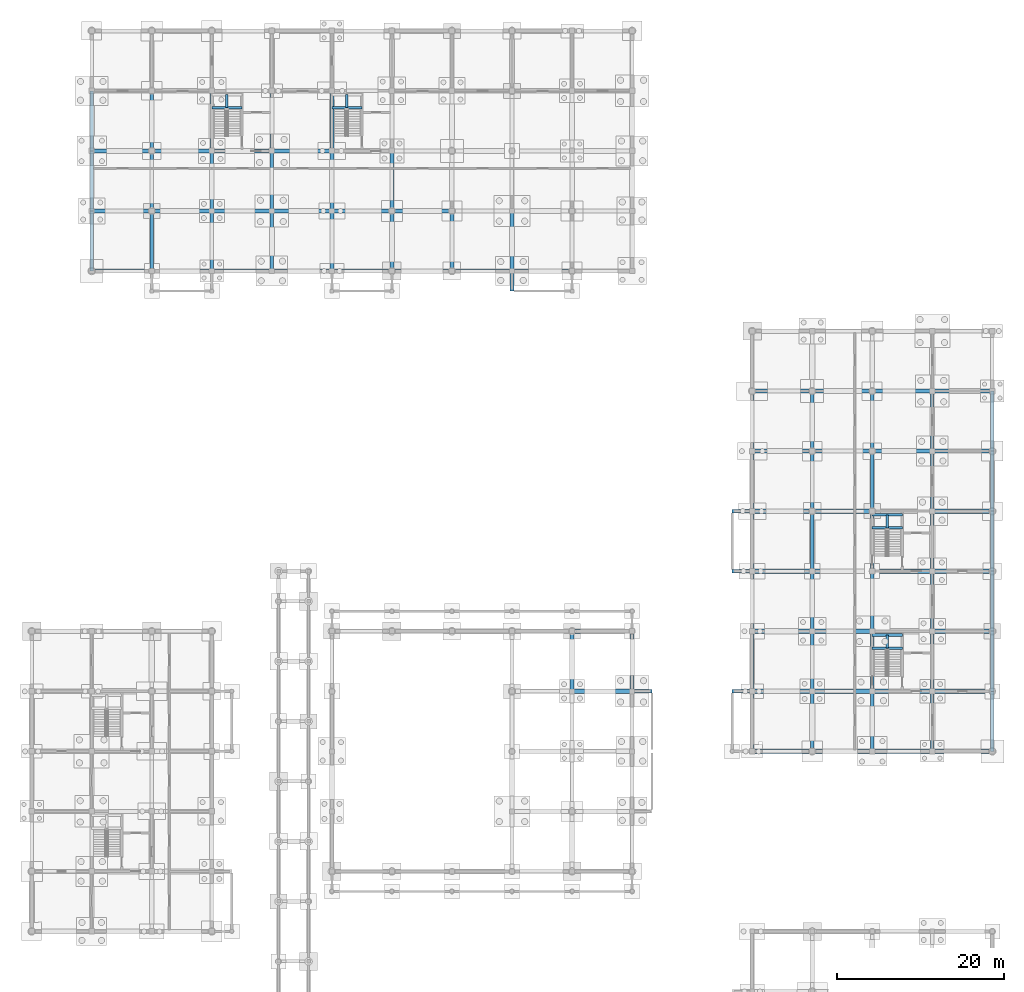
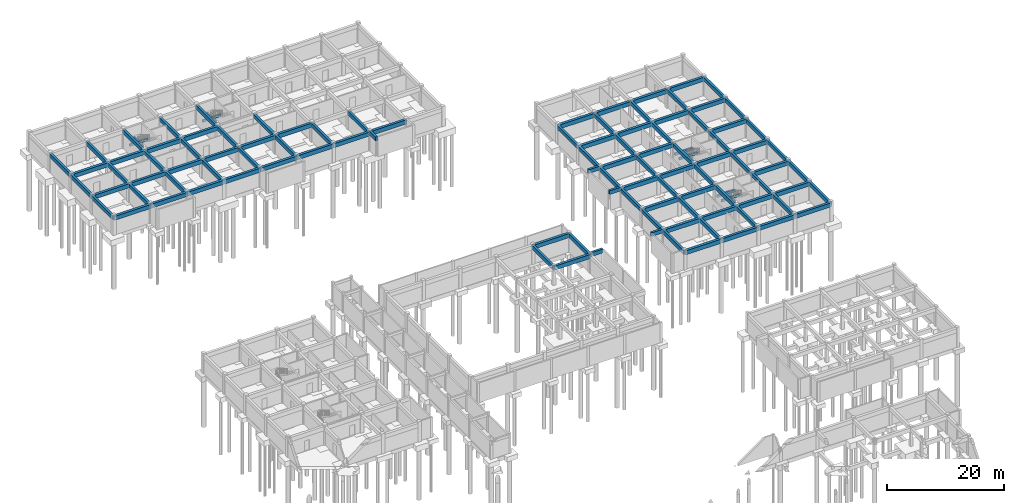
# One storey, part 22 of 38: 112 beams.
"""IFC4 building model written with IfcOpenShell, lengths in metres."""

from ifc_helpers import new_model, si_unit, direction, frame, origin, origin_2d, place, context, subcontext, project, spatial, rectangle, extrude, material, material_profile, profile_set, type_object, element, save


model = new_model("IFC4")

# Units and contexts
model_context = context("Model", 3, precision=1e-05, world=origin(), true_north=direction((0.0, 1.0)))
body_context = subcontext(model_context, "Body", "Model", "MODEL_VIEW")
ifc_project = project(units=[si_unit("LENGTHUNIT", "METRE"), si_unit("AREAUNIT", "SQUARE_METRE"), si_unit("VOLUMEUNIT", "CUBIC_METRE"), si_unit("PLANEANGLEUNIT", "RADIAN"), si_unit("MASSUNIT", "GRAM", prefix="KILO"), si_unit("THERMODYNAMICTEMPERATUREUNIT", "KELVIN"), si_unit("POWERUNIT", "WATT")], contexts=[model_context])

# Site, building, storey
site_placement = place(None, origin())
site = spatial("IfcSite", under=ifc_project, at=site_placement, CompositionType="ELEMENT")
building_placement = place(site_placement, origin())
building = spatial("IfcBuilding", under=site, at=building_placement, Name="Tavuni Mirador Residences", CompositionType="ELEMENT")
storey_placement = place(building_placement, frame((0.0, 0.0, -4.199951171875)))
storey = spatial("IfcBuildingStorey", under=building, at=storey_placement, Name="B1", CompositionType="ELEMENT", Elevation=-4.199951171875)

# Beams
ifc_material = material(Name="Precast concrete C40/50", Category="concrete")
ifc_material_profile_1 = material_profile(ifc_material, rectangle(XDim=0.300048828125, YDim=0.5, at=origin_2d()), Name="PC 300x500", Category="concrete")
ifc_profile_set_1 = profile_set([ifc_material_profile_1], Name="Precast concrete C40/50")
beam_type_1 = type_object("IfcBeamType", Name="BT-B500", PredefinedType="BEAM", material=ifc_profile_set_1)
beam_1_placement = place(storey_placement, frame((25.199951171875, 163.590087890625, 1.669921875), z_axis=(1.0, 0.0, 0.0), x_axis=(0.0, 1.0, 0.0)))
element("IfcBeam", 1, at=beam_1_placement, inside=storey, type_object=beam_type_1, Name="HLB1-C5-B1", PredefinedType="BEAM", context=body_context, shape_type="SweptSolid", body=[
    extrude(rectangle(XDim=0.300048828125, YDim=0.5, at=origin_2d()), origin(), (0.0, 0.0, 1.0), 3.60009765625),
])
beam_2_placement = place(storey_placement, frame((27.0, 163.590087890625, 1.669921875), z_axis=(0.0, 1.0, 0.0), x_axis=(-1.0, 0.0, 0.0)))
element("IfcBeam", 2, at=beam_2_placement, inside=storey, type_object=beam_type_1, Name="HLB3-C5-B1", PredefinedType="BEAM", context=body_context, shape_type="SweptSolid", body=[
    extrude(rectangle(XDim=0.300048828125, YDim=0.5, at=origin_2d()), origin(), (0.0, 0.0, 1.0), 1.559814453125),
])
beam_3_placement = place(storey_placement, frame((39.60009765625, 163.590087890625, 1.669921875), z_axis=(1.0, 0.0, 0.0), x_axis=(0.0, 1.0, 0.0)))
element("IfcBeam", 3, at=beam_3_placement, inside=storey, type_object=beam_type_1, Name="HLB1-C6-B1", PredefinedType="BEAM", context=body_context, shape_type="SweptSolid", body=[
    extrude(rectangle(XDim=0.300048828125, YDim=0.5, at=origin_2d()), origin(), (0.0, 0.0, 1.0), 3.599853515625),
])
beam_4_placement = place(storey_placement, frame((41.39990234375, 163.590087890625, 1.669921875), z_axis=(0.0, 1.0, 0.0), x_axis=(-1.0, 0.0, 0.0)))
element("IfcBeam", 4, at=beam_4_placement, inside=storey, type_object=beam_type_1, Name="HLB3-C6-B1", PredefinedType="BEAM", context=body_context, shape_type="SweptSolid", body=[
    extrude(rectangle(XDim=0.300048828125, YDim=0.5, at=origin_2d()), origin(), (0.0, 0.0, 1.0), 1.559814453125),
])
for number, where, z_axis, x_axis, name in (
    (5, (104.39990234375, 98.7900390625, 1.669921875), (1.0, 0.0, 0.0), (0.0, 1.0, 0.0), "HLB1-C7-B1"),
    (6, (104.39990234375, 100.35009765625, 1.669921875), (1.0, 0.0, 0.0), (0.0, 1.0, 0.0), "HLB2-C7-B1"),
):
    element("IfcBeam", number, at=place(storey_placement, frame(where, z_axis=z_axis, x_axis=x_axis)), inside=storey, type_object=beam_type_1, Name=name, PredefinedType="BEAM", context=body_context, shape_type="SweptSolid", body=[
        extrude(rectangle(XDim=0.300048828125, YDim=0.5, at=origin_2d()), origin(), (0.0, 0.0, 1.0), 3.60009765625),
    ])
beam_5_placement = place(storey_placement, frame((106.199951171875, 98.7900390625, 1.669921875), z_axis=(0.0, 1.0, 0.0), x_axis=(-1.0, 0.0, 0.0)))
element("IfcBeam", 7, at=beam_5_placement, inside=storey, type_object=beam_type_1, Name="HLB3-C7-B1", PredefinedType="BEAM", context=body_context, shape_type="SweptSolid", body=[
    extrude(rectangle(XDim=0.300048828125, YDim=0.5, at=origin_2d()), origin(), (0.0, 0.0, 1.0), 1.56005859375),
])
for number, where, z_axis, x_axis, name in (
    (8, (104.39990234375, 113.18994140625, 1.669921875), (1.0, 0.0, 0.0), (0.0, 1.0, 0.0), "HLB1-C8-B1"),
    (9, (104.39990234375, 114.75, 1.669921875), (1.0, 0.0, 0.0), (0.0, 1.0, 0.0), "HLB2-C8-B1"),
):
    element("IfcBeam", number, at=place(storey_placement, frame(where, z_axis=z_axis, x_axis=x_axis)), inside=storey, type_object=beam_type_1, Name=name, PredefinedType="BEAM", context=body_context, shape_type="SweptSolid", body=[
        extrude(rectangle(XDim=0.300048828125, YDim=0.5, at=origin_2d()), origin(), (0.0, 0.0, 1.0), 3.60009765625),
    ])
beam_6_placement = place(storey_placement, frame((106.199951171875, 113.18994140625, 1.669921875), z_axis=(0.0, 1.0, 0.0), x_axis=(-1.0, 0.0, 0.0)))
element("IfcBeam", 10, at=beam_6_placement, inside=storey, type_object=beam_type_1, Name="HLB3-C8-B1", PredefinedType="BEAM", context=body_context, shape_type="SweptSolid", body=[
    extrude(rectangle(XDim=0.300048828125, YDim=0.5, at=origin_2d()), origin(), (0.0, 0.0, 1.0), 1.56005859375),
])
ifc_material_profile_2 = material_profile(ifc_material, rectangle(XDim=0.449951171875, YDim=0.800048828125, at=origin_2d()), Name="RC 450x800", Category="concrete")
ifc_profile_set_2 = profile_set([ifc_material_profile_2], Name="Precast concrete C40/50")
beam_type_2 = type_object("IfcBeamType", Name="BT-G800", PredefinedType="USERDEFINED", material=ifc_profile_set_2)
for number, where, z_axis, x_axis, name in (
    (11, (68.39990234375, 93.60009765625, 3.5), (0.0, 1.0, 0.0), (-1.0, 0.0, 0.0), "BMY-PAV-HALL-B1-04-03"),
    (12, (75.60009765625, 93.60009765625, 3.5), (0.0, 1.0, 0.0), (-1.0, 0.0, 0.0), "BMY-PAV-HALL-B1-05-03"),
):
    element("IfcBeam", number, at=place(storey_placement, frame(where, z_axis=z_axis, x_axis=x_axis)), inside=storey, type_object=beam_type_2, Name=name, ObjectType="GIRDER", PredefinedType="USERDEFINED", context=body_context, shape_type="SweptSolid", body=[
        extrude(rectangle(XDim=0.449951171875, YDim=0.800048828125, at=origin_2d()), origin(), (0.0, 0.0, 1.0), 7.199951171875),
    ])
for number, where, z_axis, x_axis, name in (
    (13, (61.199951171875, 144.0, 3.75), (0.0, -1.0, 0.0), (1.0, 0.0, 0.0), "BM-APR-APR-BLKC-S3-0"),
    (14, (90.0, 93.60009765625, 3.75), (-1.0, 0.0, 0.0), (0.0, -1.0, 0.0), "BM-APR-APR-BLKD-W1-3"),
    (15, (90.0, 108.0, 3.75), (-1.0, 0.0, 0.0), (0.0, -1.0, 0.0), "BM-APR-APR-BLKD-W2-0"),
    (16, (90.0, 115.199951171875, 3.75), (-1.0, 0.0, 0.0), (0.0, -1.0, 0.0), "BM-APR-APR-BLKD-W2-3"),
    (17, (75.60009765625, 93.60009765625, 3.75), (1.0, 0.0, 0.0), (0.0, 1.0, 0.0), "BM-APR-APR-HALL-E-2"),
):
    element("IfcBeam", number, at=place(storey_placement, frame(where, z_axis=z_axis, x_axis=x_axis)), inside=storey, type_object=beam_type_2, Name=name, ObjectType="GIRDER", PredefinedType="USERDEFINED", context=body_context, shape_type="SweptSolid", body=[
        extrude(rectangle(XDim=0.449951171875, YDim=0.800048828125, at=origin_2d()), origin(), (0.0, 0.0, 1.0), 2.39990234375),
    ])
for number, where, z_axis, x_axis, name in (
    (18, (10.800048828125, 144.0, 3.47998046875), (0.0, 1.0, 0.0), (-1.0, 0.0, 0.0), "BMY-BLK-C-B1-00-00"),
    (19, (10.800048828125, 151.199951171875, 3.47998046875), (0.0, 1.0, 0.0), (-1.0, 0.0, 0.0), "BMY-BLK-C-B1-00-01"),
):
    element("IfcBeam", number, at=place(storey_placement, frame(where, z_axis=z_axis, x_axis=x_axis)), inside=storey, type_object=beam_type_2, Name=name, ObjectType="GIRDER", PredefinedType="USERDEFINED", context=body_context, shape_type="SweptSolid", body=[
        extrude(rectangle(XDim=0.449951171875, YDim=0.800048828125, at=origin_2d()), origin(), (0.0, 0.0, 1.0), 7.199951171875),
    ])
beam_7_placement = place(storey_placement, frame((10.800048828125, 158.39990234375, 3.47998046875), z_axis=(0.0, 1.0, 0.0), x_axis=(-1.0, 0.0, 0.0)))
element("IfcBeam", 20, at=beam_7_placement, inside=storey, type_object=beam_type_2, Name="BMY-BLK-C-B1-00-02", ObjectType="GIRDER", PredefinedType="USERDEFINED", context=body_context, shape_type="SweptSolid", body=[
    extrude(rectangle(XDim=0.449951171875, YDim=0.800048828125, at=origin_2d()), origin(), (0.0, 0.0, 1.0), 7.2001953125),
])
for number, where, z_axis, x_axis, name in (
    (21, (18.0, 144.0, 3.47998046875), (0.0, 1.0, 0.0), (-1.0, 0.0, 0.0), "BMY-BLK-C-B1-01-00"),
    (22, (18.0, 151.199951171875, 3.47998046875), (0.0, 1.0, 0.0), (-1.0, 0.0, 0.0), "BMY-BLK-C-B1-01-01"),
):
    element("IfcBeam", number, at=place(storey_placement, frame(where, z_axis=z_axis, x_axis=x_axis)), inside=storey, type_object=beam_type_2, Name=name, ObjectType="GIRDER", PredefinedType="USERDEFINED", context=body_context, shape_type="SweptSolid", body=[
        extrude(rectangle(XDim=0.449951171875, YDim=0.800048828125, at=origin_2d()), origin(), (0.0, 0.0, 1.0), 7.199951171875),
    ])
beam_8_placement = place(storey_placement, frame((18.0, 158.39990234375, 3.47998046875), z_axis=(0.0, 1.0, 0.0), x_axis=(-1.0, 0.0, 0.0)))
element("IfcBeam", 23, at=beam_8_placement, inside=storey, type_object=beam_type_2, Name="BMY-BLK-C-B1-01-02", ObjectType="GIRDER", PredefinedType="USERDEFINED", context=body_context, shape_type="SweptSolid", body=[
    extrude(rectangle(XDim=0.449951171875, YDim=0.800048828125, at=origin_2d()), origin(), (0.0, 0.0, 1.0), 7.2001953125),
])
for number, where, z_axis, x_axis, name in (
    (24, (25.199951171875, 144.0, 3.47998046875), (0.0, 1.0, 0.0), (-1.0, 0.0, 0.0), "BMY-BLK-C-B1-02-00"),
    (25, (25.199951171875, 151.199951171875, 3.47998046875), (0.0, 1.0, 0.0), (-1.0, 0.0, 0.0), "BMY-BLK-C-B1-02-01"),
):
    element("IfcBeam", number, at=place(storey_placement, frame(where, z_axis=z_axis, x_axis=x_axis)), inside=storey, type_object=beam_type_2, Name=name, ObjectType="GIRDER", PredefinedType="USERDEFINED", context=body_context, shape_type="SweptSolid", body=[
        extrude(rectangle(XDim=0.449951171875, YDim=0.800048828125, at=origin_2d()), origin(), (0.0, 0.0, 1.0), 7.199951171875),
    ])
beam_9_placement = place(storey_placement, frame((25.199951171875, 158.39990234375, 3.47998046875), z_axis=(0.0, 1.0, 0.0), x_axis=(-1.0, 0.0, 0.0)))
element("IfcBeam", 26, at=beam_9_placement, inside=storey, type_object=beam_type_2, Name="BMY-BLK-C-B1-02-02", ObjectType="GIRDER", PredefinedType="USERDEFINED", context=body_context, shape_type="SweptSolid", body=[
    extrude(rectangle(XDim=0.449951171875, YDim=0.800048828125, at=origin_2d()), origin(), (0.0, 0.0, 1.0), 7.2001953125),
])
for number, where, z_axis, x_axis, name in (
    (27, (32.39990234375, 144.0, 3.47998046875), (0.0, 1.0, 0.0), (-1.0, 0.0, 0.0), "BMY-BLK-C-B1-03-00"),
    (28, (32.39990234375, 151.199951171875, 3.47998046875), (0.0, 1.0, 0.0), (-1.0, 0.0, 0.0), "BMY-BLK-C-B1-03-01"),
):
    element("IfcBeam", number, at=place(storey_placement, frame(where, z_axis=z_axis, x_axis=x_axis)), inside=storey, type_object=beam_type_2, Name=name, ObjectType="GIRDER", PredefinedType="USERDEFINED", context=body_context, shape_type="SweptSolid", body=[
        extrude(rectangle(XDim=0.449951171875, YDim=0.800048828125, at=origin_2d()), origin(), (0.0, 0.0, 1.0), 7.199951171875),
    ])
beam_10_placement = place(storey_placement, frame((32.39990234375, 158.39990234375, 3.47998046875), z_axis=(0.0, 1.0, 0.0), x_axis=(-1.0, 0.0, 0.0)))
element("IfcBeam", 29, at=beam_10_placement, inside=storey, type_object=beam_type_2, Name="BMY-BLK-C-B1-03-02", ObjectType="GIRDER", PredefinedType="USERDEFINED", context=body_context, shape_type="SweptSolid", body=[
    extrude(rectangle(XDim=0.449951171875, YDim=0.800048828125, at=origin_2d()), origin(), (0.0, 0.0, 1.0), 7.2001953125),
])
for number, where, z_axis, x_axis, name in (
    (30, (39.60009765625, 144.0, 3.47998046875), (0.0, 1.0, 0.0), (-1.0, 0.0, 0.0), "BMY-BLK-C-B1-04-00"),
    (31, (39.60009765625, 151.199951171875, 3.47998046875), (0.0, 1.0, 0.0), (-1.0, 0.0, 0.0), "BMY-BLK-C-B1-04-01"),
):
    element("IfcBeam", number, at=place(storey_placement, frame(where, z_axis=z_axis, x_axis=x_axis)), inside=storey, type_object=beam_type_2, Name=name, ObjectType="GIRDER", PredefinedType="USERDEFINED", context=body_context, shape_type="SweptSolid", body=[
        extrude(rectangle(XDim=0.449951171875, YDim=0.800048828125, at=origin_2d()), origin(), (0.0, 0.0, 1.0), 7.199951171875),
    ])
beam_11_placement = place(storey_placement, frame((39.60009765625, 158.39990234375, 3.47998046875), z_axis=(0.0, 1.0, 0.0), x_axis=(-1.0, 0.0, 0.0)))
element("IfcBeam", 32, at=beam_11_placement, inside=storey, type_object=beam_type_2, Name="BMY-BLK-C-B1-04-02", ObjectType="GIRDER", PredefinedType="USERDEFINED", context=body_context, shape_type="SweptSolid", body=[
    extrude(rectangle(XDim=0.449951171875, YDim=0.800048828125, at=origin_2d()), origin(), (0.0, 0.0, 1.0), 7.2001953125),
])
for number, where, z_axis, x_axis, name in (
    (33, (46.800048828125, 144.0, 3.47998046875), (0.0, 1.0, 0.0), (-1.0, 0.0, 0.0), "BMY-BLK-C-B1-05-00"),
    (34, (46.800048828125, 151.199951171875, 3.47998046875), (0.0, 1.0, 0.0), (-1.0, 0.0, 0.0), "BMY-BLK-C-B1-05-01"),
    (35, (54.0, 144.0, 3.47998046875), (0.0, 1.0, 0.0), (-1.0, 0.0, 0.0), "BMY-BLK-C-B1-06-00"),
    (36, (61.199951171875, 144.0, 3.47998046875), (0.0, 1.0, 0.0), (-1.0, 0.0, 0.0), "BMY-BLK-C-B1-07-00"),
):
    element("IfcBeam", number, at=place(storey_placement, frame(where, z_axis=z_axis, x_axis=x_axis)), inside=storey, type_object=beam_type_2, Name=name, ObjectType="GIRDER", PredefinedType="USERDEFINED", context=body_context, shape_type="SweptSolid", body=[
        extrude(rectangle(XDim=0.449951171875, YDim=0.800048828125, at=origin_2d()), origin(), (0.0, 0.0, 1.0), 7.199951171875),
    ])
beam_12_placement = place(storey_placement, frame((90.0, 86.39990234375, 3.47998046875), z_axis=(0.0, 1.0, 0.0), x_axis=(-1.0, 0.0, 0.0)))
element("IfcBeam", 37, at=beam_12_placement, inside=storey, type_object=beam_type_2, Name="BMY-BLK-D-B1-00-00", ObjectType="GIRDER", PredefinedType="USERDEFINED", context=body_context, shape_type="SweptSolid", body=[
    extrude(rectangle(XDim=0.449951171875, YDim=0.800048828125, at=origin_2d()), origin(), (0.0, 0.0, 1.0), 7.2001953125),
])
for number, where, z_axis, x_axis, name in (
    (38, (90.0, 93.60009765625, 3.47998046875), (0.0, 1.0, 0.0), (-1.0, 0.0, 0.0), "BMY-BLK-D-B1-00-01"),
    (39, (90.0, 100.800048828125, 3.47998046875), (0.0, 1.0, 0.0), (-1.0, 0.0, 0.0), "BMY-BLK-D-B1-00-02"),
    (40, (90.0, 108.0, 3.47998046875), (0.0, 1.0, 0.0), (-1.0, 0.0, 0.0), "BMY-BLK-D-B1-00-03"),
    (41, (90.0, 115.199951171875, 3.47998046875), (0.0, 1.0, 0.0), (-1.0, 0.0, 0.0), "BMY-BLK-D-B1-00-04"),
):
    element("IfcBeam", number, at=place(storey_placement, frame(where, z_axis=z_axis, x_axis=x_axis)), inside=storey, type_object=beam_type_2, Name=name, ObjectType="GIRDER", PredefinedType="USERDEFINED", context=body_context, shape_type="SweptSolid", body=[
        extrude(rectangle(XDim=0.449951171875, YDim=0.800048828125, at=origin_2d()), origin(), (0.0, 0.0, 1.0), 7.199951171875),
    ])
for number, where, z_axis, x_axis, name in (
    (42, (90.0, 122.39990234375, 3.47998046875), (0.0, 1.0, 0.0), (-1.0, 0.0, 0.0), "BMY-BLK-D-B1-00-05"),
    (43, (97.199951171875, 86.39990234375, 3.47998046875), (0.0, 1.0, 0.0), (-1.0, 0.0, 0.0), "BMY-BLK-D-B1-01-00"),
):
    element("IfcBeam", number, at=place(storey_placement, frame(where, z_axis=z_axis, x_axis=x_axis)), inside=storey, type_object=beam_type_2, Name=name, ObjectType="GIRDER", PredefinedType="USERDEFINED", context=body_context, shape_type="SweptSolid", body=[
        extrude(rectangle(XDim=0.449951171875, YDim=0.800048828125, at=origin_2d()), origin(), (0.0, 0.0, 1.0), 7.2001953125),
    ])
for number, where, z_axis, x_axis, name in (
    (44, (97.199951171875, 93.60009765625, 3.47998046875), (0.0, 1.0, 0.0), (-1.0, 0.0, 0.0), "BMY-BLK-D-B1-01-01"),
    (45, (97.199951171875, 100.800048828125, 3.47998046875), (0.0, 1.0, 0.0), (-1.0, 0.0, 0.0), "BMY-BLK-D-B1-01-02"),
    (46, (97.199951171875, 108.0, 3.47998046875), (0.0, 1.0, 0.0), (-1.0, 0.0, 0.0), "BMY-BLK-D-B1-01-03"),
    (47, (97.199951171875, 115.199951171875, 3.47998046875), (0.0, 1.0, 0.0), (-1.0, 0.0, 0.0), "BMY-BLK-D-B1-01-04"),
):
    element("IfcBeam", number, at=place(storey_placement, frame(where, z_axis=z_axis, x_axis=x_axis)), inside=storey, type_object=beam_type_2, Name=name, ObjectType="GIRDER", PredefinedType="USERDEFINED", context=body_context, shape_type="SweptSolid", body=[
        extrude(rectangle(XDim=0.449951171875, YDim=0.800048828125, at=origin_2d()), origin(), (0.0, 0.0, 1.0), 7.199951171875),
    ])
for number, where, z_axis, x_axis, name in (
    (48, (97.199951171875, 122.39990234375, 3.47998046875), (0.0, 1.0, 0.0), (-1.0, 0.0, 0.0), "BMY-BLK-D-B1-01-05"),
    (49, (104.39990234375, 86.39990234375, 3.47998046875), (0.0, 1.0, 0.0), (-1.0, 0.0, 0.0), "BMY-BLK-D-B1-02-00"),
):
    element("IfcBeam", number, at=place(storey_placement, frame(where, z_axis=z_axis, x_axis=x_axis)), inside=storey, type_object=beam_type_2, Name=name, ObjectType="GIRDER", PredefinedType="USERDEFINED", context=body_context, shape_type="SweptSolid", body=[
        extrude(rectangle(XDim=0.449951171875, YDim=0.800048828125, at=origin_2d()), origin(), (0.0, 0.0, 1.0), 7.2001953125),
    ])
for number, where, z_axis, x_axis, name in (
    (50, (104.39990234375, 93.60009765625, 3.47998046875), (0.0, 1.0, 0.0), (-1.0, 0.0, 0.0), "BMY-BLK-D-B1-02-01"),
    (51, (104.39990234375, 100.800048828125, 3.47998046875), (0.0, 1.0, 0.0), (-1.0, 0.0, 0.0), "BMY-BLK-D-B1-02-02"),
    (52, (104.39990234375, 108.0, 3.47998046875), (0.0, 1.0, 0.0), (-1.0, 0.0, 0.0), "BMY-BLK-D-B1-02-03"),
    (53, (104.39990234375, 115.199951171875, 3.47998046875), (0.0, 1.0, 0.0), (-1.0, 0.0, 0.0), "BMY-BLK-D-B1-02-04"),
):
    element("IfcBeam", number, at=place(storey_placement, frame(where, z_axis=z_axis, x_axis=x_axis)), inside=storey, type_object=beam_type_2, Name=name, ObjectType="GIRDER", PredefinedType="USERDEFINED", context=body_context, shape_type="SweptSolid", body=[
        extrude(rectangle(XDim=0.449951171875, YDim=0.800048828125, at=origin_2d()), origin(), (0.0, 0.0, 1.0), 7.199951171875),
    ])
for number, where, z_axis, x_axis, name in (
    (54, (104.39990234375, 122.39990234375, 3.47998046875), (0.0, 1.0, 0.0), (-1.0, 0.0, 0.0), "BMY-BLK-D-B1-02-05"),
    (55, (111.60009765625, 86.39990234375, 3.47998046875), (0.0, 1.0, 0.0), (-1.0, 0.0, 0.0), "BMY-BLK-D-B1-03-00"),
):
    element("IfcBeam", number, at=place(storey_placement, frame(where, z_axis=z_axis, x_axis=x_axis)), inside=storey, type_object=beam_type_2, Name=name, ObjectType="GIRDER", PredefinedType="USERDEFINED", context=body_context, shape_type="SweptSolid", body=[
        extrude(rectangle(XDim=0.449951171875, YDim=0.800048828125, at=origin_2d()), origin(), (0.0, 0.0, 1.0), 7.2001953125),
    ])
for number, where, z_axis, x_axis, name in (
    (56, (111.60009765625, 93.60009765625, 3.47998046875), (0.0, 1.0, 0.0), (-1.0, 0.0, 0.0), "BMY-BLK-D-B1-03-01"),
    (57, (111.60009765625, 100.800048828125, 3.47998046875), (0.0, 1.0, 0.0), (-1.0, 0.0, 0.0), "BMY-BLK-D-B1-03-02"),
    (58, (111.60009765625, 108.0, 3.47998046875), (0.0, 1.0, 0.0), (-1.0, 0.0, 0.0), "BMY-BLK-D-B1-03-03"),
    (59, (111.60009765625, 115.199951171875, 3.47998046875), (0.0, 1.0, 0.0), (-1.0, 0.0, 0.0), "BMY-BLK-D-B1-03-04"),
):
    element("IfcBeam", number, at=place(storey_placement, frame(where, z_axis=z_axis, x_axis=x_axis)), inside=storey, type_object=beam_type_2, Name=name, ObjectType="GIRDER", PredefinedType="USERDEFINED", context=body_context, shape_type="SweptSolid", body=[
        extrude(rectangle(XDim=0.449951171875, YDim=0.800048828125, at=origin_2d()), origin(), (0.0, 0.0, 1.0), 7.199951171875),
    ])
for number, where, z_axis, x_axis, name in (
    (60, (111.60009765625, 122.39990234375, 3.47998046875), (0.0, 1.0, 0.0), (-1.0, 0.0, 0.0), "BMY-BLK-D-B1-03-05"),
    (61, (118.800048828125, 86.39990234375, 3.47998046875), (0.0, 1.0, 0.0), (-1.0, 0.0, 0.0), "BMY-BLK-D-B1-04-00"),
):
    element("IfcBeam", number, at=place(storey_placement, frame(where, z_axis=z_axis, x_axis=x_axis)), inside=storey, type_object=beam_type_2, Name=name, ObjectType="GIRDER", PredefinedType="USERDEFINED", context=body_context, shape_type="SweptSolid", body=[
        extrude(rectangle(XDim=0.449951171875, YDim=0.800048828125, at=origin_2d()), origin(), (0.0, 0.0, 1.0), 7.2001953125),
    ])
for number, where, z_axis, x_axis, name in (
    (62, (118.800048828125, 93.60009765625, 3.47998046875), (0.0, 1.0, 0.0), (-1.0, 0.0, 0.0), "BMY-BLK-D-B1-04-01"),
    (63, (118.800048828125, 100.800048828125, 3.47998046875), (0.0, 1.0, 0.0), (-1.0, 0.0, 0.0), "BMY-BLK-D-B1-04-02"),
    (64, (118.800048828125, 108.0, 3.47998046875), (0.0, 1.0, 0.0), (-1.0, 0.0, 0.0), "BMY-BLK-D-B1-04-03"),
    (65, (118.800048828125, 115.199951171875, 3.47998046875), (0.0, 1.0, 0.0), (-1.0, 0.0, 0.0), "BMY-BLK-D-B1-04-04"),
):
    element("IfcBeam", number, at=place(storey_placement, frame(where, z_axis=z_axis, x_axis=x_axis)), inside=storey, type_object=beam_type_2, Name=name, ObjectType="GIRDER", PredefinedType="USERDEFINED", context=body_context, shape_type="SweptSolid", body=[
        extrude(rectangle(XDim=0.449951171875, YDim=0.800048828125, at=origin_2d()), origin(), (0.0, 0.0, 1.0), 7.199951171875),
    ])
beam_13_placement = place(storey_placement, frame((118.800048828125, 122.39990234375, 3.47998046875), z_axis=(0.0, 1.0, 0.0), x_axis=(-1.0, 0.0, 0.0)))
element("IfcBeam", 66, at=beam_13_placement, inside=storey, type_object=beam_type_2, Name="BMY-BLK-D-B1-04-05", ObjectType="GIRDER", PredefinedType="USERDEFINED", context=body_context, shape_type="SweptSolid", body=[
    extrude(rectangle(XDim=0.449951171875, YDim=0.800048828125, at=origin_2d()), origin(), (0.0, 0.0, 1.0), 7.2001953125),
])
ifc_material_profile_3 = material_profile(ifc_material, rectangle(XDim=0.5, YDim=0.85009765625, at=origin_2d()), Name="RC 500x850", Category="concrete")
ifc_profile_set_3 = profile_set([ifc_material_profile_3], Name="Precast concrete C40/50")
beam_type_3 = type_object("IfcBeamType", Name="BT-G850", PredefinedType="USERDEFINED", material=ifc_profile_set_3)
for number, where, z_axis, x_axis, name in (
    (67, (68.39990234375, 93.60009765625, 3.474853515625), (1.0, 0.0, 0.0), (0.0, 1.0, 0.0), "BMX-PAV-HALL-B1-04-03"),
    (68, (68.39990234375, 100.800048828125, 3.474853515625), (1.0, 0.0, 0.0), (0.0, 1.0, 0.0), "BMX-PAV-HALL-B1-04-04"),
):
    element("IfcBeam", number, at=place(storey_placement, frame(where, z_axis=z_axis, x_axis=x_axis)), inside=storey, type_object=beam_type_3, Name=name, ObjectType="GIRDER", PredefinedType="USERDEFINED", context=body_context, shape_type="SweptSolid", body=[
        extrude(rectangle(XDim=0.5, YDim=0.85009765625, at=origin_2d()), origin(), (0.0, 0.0, 1.0), 7.2001953125),
    ])
for number, where, z_axis, x_axis, name in (
    (69, (10.800048828125, 144.0, 3.454833984375), (1.0, 0.0, 0.0), (0.0, 1.0, 0.0), "BMX-BLK-C-B1-00-00"),
    (70, (18.0, 144.0, 3.454833984375), (1.0, 0.0, 0.0), (0.0, 1.0, 0.0), "BMX-BLK-C-B1-01-00"),
    (71, (25.199951171875, 144.0, 3.454833984375), (1.0, 0.0, 0.0), (0.0, 1.0, 0.0), "BMX-BLK-C-B1-02-00"),
):
    element("IfcBeam", number, at=place(storey_placement, frame(where, z_axis=z_axis, x_axis=x_axis)), inside=storey, type_object=beam_type_3, Name=name, ObjectType="GIRDER", PredefinedType="USERDEFINED", context=body_context, shape_type="SweptSolid", body=[
        extrude(rectangle(XDim=0.5, YDim=0.85009765625, at=origin_2d()), origin(), (0.0, 0.0, 1.0), 7.199951171875),
    ])
beam_14_placement = place(storey_placement, frame((32.39990234375, 144.0, 3.454833984375), z_axis=(1.0, 0.0, 0.0), x_axis=(0.0, 1.0, 0.0)))
element("IfcBeam", 72, at=beam_14_placement, inside=storey, type_object=beam_type_3, Name="BMX-BLK-C-B1-03-00", ObjectType="GIRDER", PredefinedType="USERDEFINED", context=body_context, shape_type="SweptSolid", body=[
    extrude(rectangle(XDim=0.5, YDim=0.85009765625, at=origin_2d()), origin(), (0.0, 0.0, 1.0), 7.2001953125),
])
for number, where, z_axis, x_axis, name in (
    (73, (39.60009765625, 144.0, 3.454833984375), (1.0, 0.0, 0.0), (0.0, 1.0, 0.0), "BMX-BLK-C-B1-04-00"),
    (74, (46.800048828125, 144.0, 3.454833984375), (1.0, 0.0, 0.0), (0.0, 1.0, 0.0), "BMX-BLK-C-B1-05-00"),
    (75, (54.0, 144.0, 3.454833984375), (1.0, 0.0, 0.0), (0.0, 1.0, 0.0), "BMX-BLK-C-B1-06-00"),
    (76, (61.199951171875, 144.0, 3.454833984375), (1.0, 0.0, 0.0), (0.0, 1.0, 0.0), "BMX-BLK-C-B1-07-00"),
    (77, (10.800048828125, 151.199951171875, 3.454833984375), (1.0, 0.0, 0.0), (0.0, 1.0, 0.0), "BMX-BLK-C-B1-00-01"),
    (78, (18.0, 151.199951171875, 3.454833984375), (1.0, 0.0, 0.0), (0.0, 1.0, 0.0), "BMX-BLK-C-B1-01-01"),
    (79, (25.199951171875, 151.199951171875, 3.454833984375), (1.0, 0.0, 0.0), (0.0, 1.0, 0.0), "BMX-BLK-C-B1-02-01"),
):
    element("IfcBeam", number, at=place(storey_placement, frame(where, z_axis=z_axis, x_axis=x_axis)), inside=storey, type_object=beam_type_3, Name=name, ObjectType="GIRDER", PredefinedType="USERDEFINED", context=body_context, shape_type="SweptSolid", body=[
        extrude(rectangle(XDim=0.5, YDim=0.85009765625, at=origin_2d()), origin(), (0.0, 0.0, 1.0), 7.199951171875),
    ])
beam_15_placement = place(storey_placement, frame((32.39990234375, 151.199951171875, 3.454833984375), z_axis=(1.0, 0.0, 0.0), x_axis=(0.0, 1.0, 0.0)))
element("IfcBeam", 80, at=beam_15_placement, inside=storey, type_object=beam_type_3, Name="BMX-BLK-C-B1-03-01", ObjectType="GIRDER", PredefinedType="USERDEFINED", context=body_context, shape_type="SweptSolid", body=[
    extrude(rectangle(XDim=0.5, YDim=0.85009765625, at=origin_2d()), origin(), (0.0, 0.0, 1.0), 7.2001953125),
])
for number, where, z_axis, x_axis, name in (
    (81, (39.60009765625, 151.199951171875, 3.454833984375), (1.0, 0.0, 0.0), (0.0, 1.0, 0.0), "BMX-BLK-C-B1-04-01"),
    (82, (46.800048828125, 151.199951171875, 3.454833984375), (1.0, 0.0, 0.0), (0.0, 1.0, 0.0), "BMX-BLK-C-B1-05-01"),
    (83, (10.800048828125, 158.39990234375, 3.454833984375), (1.0, 0.0, 0.0), (0.0, 1.0, 0.0), "BMX-BLK-C-B1-00-02"),
    (84, (18.0, 158.39990234375, 3.454833984375), (1.0, 0.0, 0.0), (0.0, 1.0, 0.0), "BMX-BLK-C-B1-01-02"),
    (85, (25.199951171875, 158.39990234375, 3.454833984375), (1.0, 0.0, 0.0), (0.0, 1.0, 0.0), "BMX-BLK-C-B1-02-02"),
):
    element("IfcBeam", number, at=place(storey_placement, frame(where, z_axis=z_axis, x_axis=x_axis)), inside=storey, type_object=beam_type_3, Name=name, ObjectType="GIRDER", PredefinedType="USERDEFINED", context=body_context, shape_type="SweptSolid", body=[
        extrude(rectangle(XDim=0.5, YDim=0.85009765625, at=origin_2d()), origin(), (0.0, 0.0, 1.0), 7.199951171875),
    ])
beam_16_placement = place(storey_placement, frame((32.39990234375, 158.39990234375, 3.454833984375), z_axis=(1.0, 0.0, 0.0), x_axis=(0.0, 1.0, 0.0)))
element("IfcBeam", 86, at=beam_16_placement, inside=storey, type_object=beam_type_3, Name="BMX-BLK-C-B1-03-02", ObjectType="GIRDER", PredefinedType="USERDEFINED", context=body_context, shape_type="SweptSolid", body=[
    extrude(rectangle(XDim=0.5, YDim=0.85009765625, at=origin_2d()), origin(), (0.0, 0.0, 1.0), 7.2001953125),
])
for number, where, z_axis, x_axis, name in (
    (87, (90.0, 86.39990234375, 3.454833984375), (1.0, 0.0, 0.0), (0.0, 1.0, 0.0), "BMX-BLK-D-B1-00-00"),
    (88, (97.199951171875, 86.39990234375, 3.454833984375), (1.0, 0.0, 0.0), (0.0, 1.0, 0.0), "BMX-BLK-D-B1-01-00"),
):
    element("IfcBeam", number, at=place(storey_placement, frame(where, z_axis=z_axis, x_axis=x_axis)), inside=storey, type_object=beam_type_3, Name=name, ObjectType="GIRDER", PredefinedType="USERDEFINED", context=body_context, shape_type="SweptSolid", body=[
        extrude(rectangle(XDim=0.5, YDim=0.85009765625, at=origin_2d()), origin(), (0.0, 0.0, 1.0), 7.199951171875),
    ])
beam_17_placement = place(storey_placement, frame((104.39990234375, 86.39990234375, 3.454833984375), z_axis=(1.0, 0.0, 0.0), x_axis=(0.0, 1.0, 0.0)))
element("IfcBeam", 89, at=beam_17_placement, inside=storey, type_object=beam_type_3, Name="BMX-BLK-D-B1-02-00", ObjectType="GIRDER", PredefinedType="USERDEFINED", context=body_context, shape_type="SweptSolid", body=[
    extrude(rectangle(XDim=0.5, YDim=0.85009765625, at=origin_2d()), origin(), (0.0, 0.0, 1.0), 7.2001953125),
])
for number, where, z_axis, x_axis, name in (
    (90, (111.60009765625, 86.39990234375, 3.454833984375), (1.0, 0.0, 0.0), (0.0, 1.0, 0.0), "BMX-BLK-D-B1-03-00"),
    (91, (90.0, 93.60009765625, 3.454833984375), (1.0, 0.0, 0.0), (0.0, 1.0, 0.0), "BMX-BLK-D-B1-00-01"),
    (92, (97.199951171875, 93.60009765625, 3.454833984375), (1.0, 0.0, 0.0), (0.0, 1.0, 0.0), "BMX-BLK-D-B1-01-01"),
):
    element("IfcBeam", number, at=place(storey_placement, frame(where, z_axis=z_axis, x_axis=x_axis)), inside=storey, type_object=beam_type_3, Name=name, ObjectType="GIRDER", PredefinedType="USERDEFINED", context=body_context, shape_type="SweptSolid", body=[
        extrude(rectangle(XDim=0.5, YDim=0.85009765625, at=origin_2d()), origin(), (0.0, 0.0, 1.0), 7.199951171875),
    ])
beam_18_placement = place(storey_placement, frame((104.39990234375, 93.60009765625, 3.454833984375), z_axis=(1.0, 0.0, 0.0), x_axis=(0.0, 1.0, 0.0)))
element("IfcBeam", 93, at=beam_18_placement, inside=storey, type_object=beam_type_3, Name="BMX-BLK-D-B1-02-01", ObjectType="GIRDER", PredefinedType="USERDEFINED", context=body_context, shape_type="SweptSolid", body=[
    extrude(rectangle(XDim=0.5, YDim=0.85009765625, at=origin_2d()), origin(), (0.0, 0.0, 1.0), 7.2001953125),
])
for number, where, z_axis, x_axis, name in (
    (94, (111.60009765625, 93.60009765625, 3.454833984375), (1.0, 0.0, 0.0), (0.0, 1.0, 0.0), "BMX-BLK-D-B1-03-01"),
    (95, (90.0, 100.800048828125, 3.454833984375), (1.0, 0.0, 0.0), (0.0, 1.0, 0.0), "BMX-BLK-D-B1-00-02"),
    (96, (97.199951171875, 100.800048828125, 3.454833984375), (1.0, 0.0, 0.0), (0.0, 1.0, 0.0), "BMX-BLK-D-B1-01-02"),
    (97, (111.60009765625, 100.800048828125, 3.454833984375), (1.0, 0.0, 0.0), (0.0, 1.0, 0.0), "BMX-BLK-D-B1-03-02"),
    (98, (90.0, 108.0, 3.454833984375), (1.0, 0.0, 0.0), (0.0, 1.0, 0.0), "BMX-BLK-D-B1-00-03"),
    (99, (97.199951171875, 108.0, 3.454833984375), (1.0, 0.0, 0.0), (0.0, 1.0, 0.0), "BMX-BLK-D-B1-01-03"),
):
    element("IfcBeam", number, at=place(storey_placement, frame(where, z_axis=z_axis, x_axis=x_axis)), inside=storey, type_object=beam_type_3, Name=name, ObjectType="GIRDER", PredefinedType="USERDEFINED", context=body_context, shape_type="SweptSolid", body=[
        extrude(rectangle(XDim=0.5, YDim=0.85009765625, at=origin_2d()), origin(), (0.0, 0.0, 1.0), 7.199951171875),
    ])
beam_19_placement = place(storey_placement, frame((104.39990234375, 108.0, 3.454833984375), z_axis=(1.0, 0.0, 0.0), x_axis=(0.0, 1.0, 0.0)))
element("IfcBeam", 100, at=beam_19_placement, inside=storey, type_object=beam_type_3, Name="BMX-BLK-D-B1-02-03", ObjectType="GIRDER", PredefinedType="USERDEFINED", context=body_context, shape_type="SweptSolid", body=[
    extrude(rectangle(XDim=0.5, YDim=0.85009765625, at=origin_2d()), origin(), (0.0, 0.0, 1.0), 7.2001953125),
])
for number, where, z_axis, x_axis, name in (
    (101, (111.60009765625, 108.0, 3.454833984375), (1.0, 0.0, 0.0), (0.0, 1.0, 0.0), "BMX-BLK-D-B1-03-03"),
    (102, (90.0, 115.199951171875, 3.454833984375), (1.0, 0.0, 0.0), (0.0, 1.0, 0.0), "BMX-BLK-D-B1-00-04"),
    (103, (97.199951171875, 115.199951171875, 3.454833984375), (1.0, 0.0, 0.0), (0.0, 1.0, 0.0), "BMX-BLK-D-B1-01-04"),
    (104, (111.60009765625, 115.199951171875, 3.454833984375), (1.0, 0.0, 0.0), (0.0, 1.0, 0.0), "BMX-BLK-D-B1-03-04"),
    (105, (90.0, 122.39990234375, 3.454833984375), (1.0, 0.0, 0.0), (0.0, 1.0, 0.0), "BMX-BLK-D-B1-00-05"),
    (106, (97.199951171875, 122.39990234375, 3.454833984375), (1.0, 0.0, 0.0), (0.0, 1.0, 0.0), "BMX-BLK-D-B1-01-05"),
):
    element("IfcBeam", number, at=place(storey_placement, frame(where, z_axis=z_axis, x_axis=x_axis)), inside=storey, type_object=beam_type_3, Name=name, ObjectType="GIRDER", PredefinedType="USERDEFINED", context=body_context, shape_type="SweptSolid", body=[
        extrude(rectangle(XDim=0.5, YDim=0.85009765625, at=origin_2d()), origin(), (0.0, 0.0, 1.0), 7.199951171875),
    ])
beam_20_placement = place(storey_placement, frame((104.39990234375, 122.39990234375, 3.454833984375), z_axis=(1.0, 0.0, 0.0), x_axis=(0.0, 1.0, 0.0)))
element("IfcBeam", 107, at=beam_20_placement, inside=storey, type_object=beam_type_3, Name="BMX-BLK-D-B1-02-05", ObjectType="GIRDER", PredefinedType="USERDEFINED", context=body_context, shape_type="SweptSolid", body=[
    extrude(rectangle(XDim=0.5, YDim=0.85009765625, at=origin_2d()), origin(), (0.0, 0.0, 1.0), 7.2001953125),
])
for number, where, z_axis, x_axis, name in (
    (108, (111.60009765625, 122.39990234375, 3.454833984375), (1.0, 0.0, 0.0), (0.0, 1.0, 0.0), "BMX-BLK-D-B1-03-05"),
    (109, (90.0, 129.60009765625, 3.454833984375), (1.0, 0.0, 0.0), (0.0, 1.0, 0.0), "BMX-BLK-D-B1-00-06"),
    (110, (97.199951171875, 129.60009765625, 3.454833984375), (1.0, 0.0, 0.0), (0.0, 1.0, 0.0), "BMX-BLK-D-B1-01-06"),
):
    element("IfcBeam", number, at=place(storey_placement, frame(where, z_axis=z_axis, x_axis=x_axis)), inside=storey, type_object=beam_type_3, Name=name, ObjectType="GIRDER", PredefinedType="USERDEFINED", context=body_context, shape_type="SweptSolid", body=[
        extrude(rectangle(XDim=0.5, YDim=0.85009765625, at=origin_2d()), origin(), (0.0, 0.0, 1.0), 7.199951171875),
    ])
beam_21_placement = place(storey_placement, frame((104.39990234375, 129.60009765625, 3.454833984375), z_axis=(1.0, 0.0, 0.0), x_axis=(0.0, 1.0, 0.0)))
element("IfcBeam", 111, at=beam_21_placement, inside=storey, type_object=beam_type_3, Name="BMX-BLK-D-B1-02-06", ObjectType="GIRDER", PredefinedType="USERDEFINED", context=body_context, shape_type="SweptSolid", body=[
    extrude(rectangle(XDim=0.5, YDim=0.85009765625, at=origin_2d()), origin(), (0.0, 0.0, 1.0), 7.2001953125),
])
beam_22_placement = place(storey_placement, frame((111.60009765625, 129.60009765625, 3.454833984375), z_axis=(1.0, 0.0, 0.0), x_axis=(0.0, 1.0, 0.0)))
element("IfcBeam", 112, at=beam_22_placement, inside=storey, type_object=beam_type_3, Name="BMX-BLK-D-B1-03-06", ObjectType="GIRDER", PredefinedType="USERDEFINED", context=body_context, shape_type="SweptSolid", body=[
    extrude(rectangle(XDim=0.5, YDim=0.85009765625, at=origin_2d()), origin(), (0.0, 0.0, 1.0), 7.199951171875),
])

save(model, "model.ifc")
